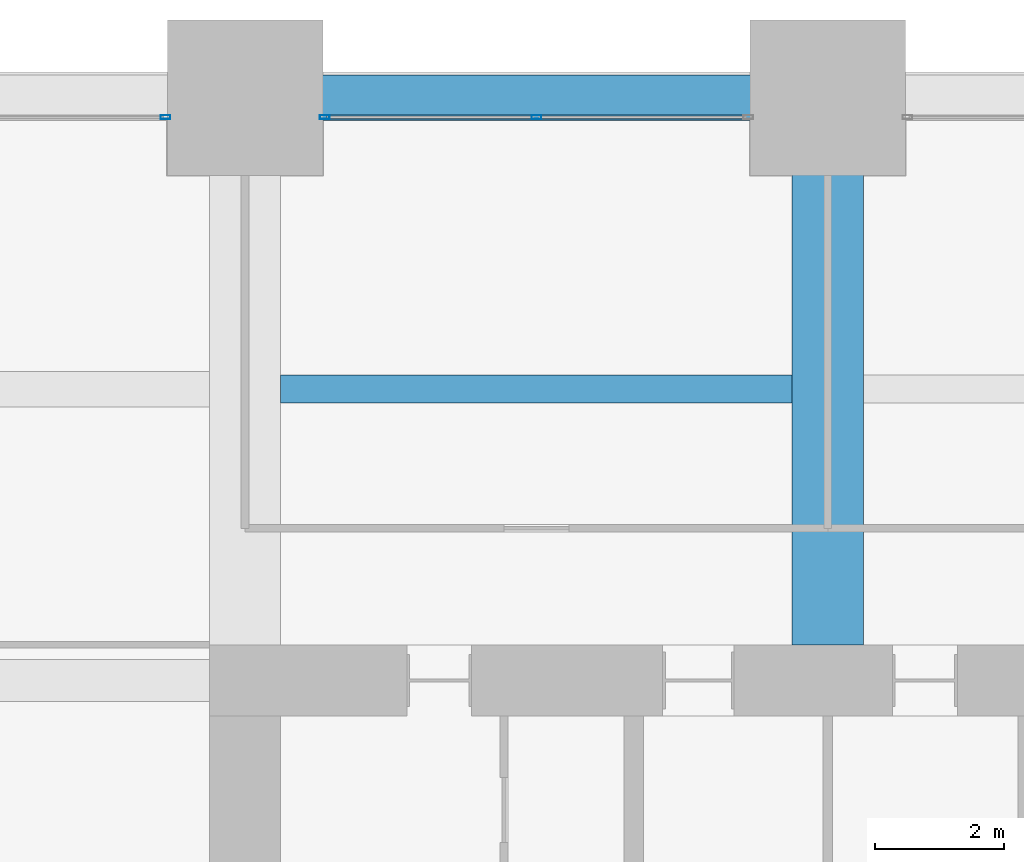
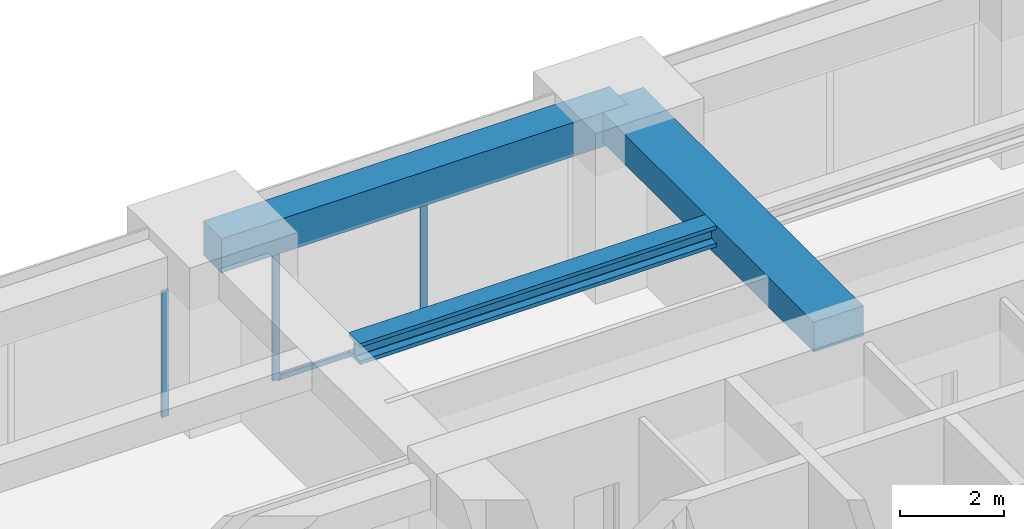
# One storey, part 28 of 39: 4 members, 3 beams, 2 elements without a shape of their own.
"""IFC4 building model written with IfcOpenShell, lengths in metres."""

from ifc_helpers import new_model, si_unit, direction, frame, origin, origin_2d, place, context, subcontext, project, spatial, rectangle, hollow_rectangle, i_section, extrude, material, material_profile, profile_set, type_object, element, aggregate, save


model = new_model("IFC4")

# Units and contexts
model_context = context("Model", 3, precision=1e-05, world=origin(), true_north=direction((0.0, 1.0)))
body_context = subcontext(model_context, "Body", "Model", "MODEL_VIEW")
ifc_project = project(units=[si_unit("LENGTHUNIT", "METRE"), si_unit("AREAUNIT", "SQUARE_METRE"), si_unit("VOLUMEUNIT", "CUBIC_METRE"), si_unit("PLANEANGLEUNIT", "RADIAN"), si_unit("MASSUNIT", "GRAM", prefix="KILO")], contexts=[model_context])

# Site, building, storey
site_placement = place(None, origin())
site = spatial("IfcSite", under=ifc_project, at=site_placement, CompositionType="ELEMENT")
building_placement = place(site_placement, origin())
building = spatial("IfcBuilding", under=site, at=building_placement, Name="Zorevar Civic Tower", CompositionType="ELEMENT")
storey_placement = place(building_placement, frame((0.0, 0.0, 117.0)))
storey = spatial("IfcBuildingStorey", under=building, at=storey_placement, Name="L28", CompositionType="ELEMENT", Elevation=117.0)

# Beam
ifc_material_1 = material(Name="Concrete C50/60", Category="concrete")
ifc_material_profile_1 = material_profile(ifc_material_1, rectangle(XDim=1.10009765625, YDim=0.699951171875, at=origin_2d()), Name="RC 1100x700")
ifc_profile_set_1 = profile_set([ifc_material_profile_1], Name="Concrete C50/60")
beam_type_1 = type_object("IfcBeamType", Name="Beam RC 1100x700", PredefinedType="BEAM", material=ifc_profile_set_1)
beam_1_placement = place(storey_placement, frame((27.0, 36.550048828125, 3.39990234375), z_axis=(0.0, 1.0, 0.0), x_axis=(-1.0, 0.0, 0.0)))
element("IfcBeam", 1, at=beam_1_placement, inside=storey, type_object=beam_type_1, Name="Girder L29", PredefinedType="BEAM", context=body_context, shape_type="SweptSolid", body=[
    extrude(rectangle(XDim=1.10009765625, YDim=0.699951171875, at=origin_2d()), origin(), (0.0, 0.0, 1.0), 8.449951171875),
])

# Curtain wall, member
ifc_material_2 = material(Name="Dark grey solar-control glass in black aluminium frame", Category="aluminium")
curtain_wall_type = type_object("IfcCurtainWallType", Name="Curtain wall CW3 mid zone", PredefinedType="NOTDEFINED", material=ifc_material_2)
curtain_wall_1_placement = place(storey_placement, origin())
curtain_wall_1 = element("IfcCurtainWall", 2, at=curtain_wall_1_placement, inside=storey, type_object=curtain_wall_type, Name="CW3 L28", PredefinedType="NOTDEFINED")
ifc_material_3 = material(Name="Aluminium, black anodised", Category="aluminium")
ifc_material_profile_2 = material_profile(ifc_material_3, hollow_rectangle(XDim=0.06005859375, YDim=0.14990234375, WallThickness=0.00390625, at=origin_2d()), Name="AL 150x60x4")
ifc_profile_set_2 = profile_set([ifc_material_profile_2], Name="Aluminium, black anodised")
member_type_1 = type_object("IfcMemberType", Name="CW3 mullion AL 150x60x4", PredefinedType="MULLION", material=ifc_profile_set_2)
member_1_placement = place(storey_placement, frame((16.77001953125, 44.699951171875, 0.0), z_axis=(0.0, 0.0, 1.0), x_axis=(0.0, 1.0, 0.0)))
member_1 = element("IfcMember", 3, at=member_1_placement, type_object=member_type_1, Name="CW3 mullion 3", PredefinedType="MULLION", context=body_context, shape_type="SweptSolid", body=[
    extrude(hollow_rectangle(XDim=0.06005859375, YDim=0.14990234375, WallThickness=0.00390625, at=origin_2d()), origin(), (0.0, 0.0, 1.0), 2.949951171875),
])
aggregate(curtain_wall_1, [member_1])

# Curtain wall, members
curtain_wall_2_placement = place(storey_placement, origin())
curtain_wall_2 = element("IfcCurtainWall", 4, at=curtain_wall_2_placement, inside=storey, type_object=curtain_wall_type, Name="CW3 L28", PredefinedType="NOTDEFINED")
member_2_placement = place(storey_placement, frame((19.22998046875, 44.699951171875, 0.0), z_axis=(0.0, 0.0, 1.0), x_axis=(0.0, 1.0, 0.0)))
member_2 = element("IfcMember", 5, at=member_2_placement, type_object=member_type_1, Name="CW3 mullion 1", PredefinedType="MULLION", context=body_context, shape_type="SweptSolid", body=[
    extrude(hollow_rectangle(XDim=0.06005859375, YDim=0.14990234375, WallThickness=0.00390625, at=origin_2d()), origin(), (0.0, 0.0, 1.0), 2.949951171875),
])
member_3_placement = place(storey_placement, frame((22.5, 44.699951171875, 0.06005859375), z_axis=(0.0, 0.0, 1.0), x_axis=(0.0, 1.0, 0.0)))
member_3 = element("IfcMember", 6, at=member_3_placement, type_object=member_type_1, Name="CW3 mullion 2", PredefinedType="MULLION", context=body_context, shape_type="SweptSolid", body=[
    extrude(hollow_rectangle(XDim=0.06005859375, YDim=0.14990234375, WallThickness=0.00390625, at=origin_2d()), origin(), (0.0, 0.0, 1.0), 2.889892578125),
])
ifc_material_4 = material(Name="Aluminium, black anodised", Category="aluminium")
ifc_material_profile_3 = material_profile(ifc_material_4, hollow_rectangle(XDim=0.06005859375, YDim=0.1201171875, WallThickness=0.0029296875, at=origin_2d()), Name="AL 120x60x3")
ifc_profile_set_3 = profile_set([ifc_material_profile_3], Name="Aluminium, black anodised")
member_type_2 = type_object("IfcMemberType", Name="CW3 transom AL 120x60x3", PredefinedType="USERDEFINED", material=ifc_profile_set_3)
member_4_placement = place(storey_placement, frame((19.260009765625, 44.699951171875, 0.030029296875), z_axis=(1.0, 0.0, 0.0), x_axis=(0.0, 1.0, 0.0)))
member_4 = element("IfcMember", 7, at=member_4_placement, type_object=member_type_2, Name="CW3 sill transom", ObjectType="TRANSOM", PredefinedType="USERDEFINED", context=body_context, shape_type="SweptSolid", body=[
    extrude(hollow_rectangle(XDim=0.06005859375, YDim=0.1201171875, WallThickness=0.0029296875, at=origin_2d()), origin(), (0.0, 0.0, 1.0), 6.47998046875),
])
aggregate(curtain_wall_2, [member_2, member_3, member_4])

# Beams
ifc_material_5 = material(Name="Steel S460M (HISTAR 460)", Category="steel")
ifc_material_profile_4 = material_profile(ifc_material_5, i_section(OverallWidth=0.431884765625, OverallDepth=0.498046875, WebThickness=0.0556640625, FlangeThickness=0.0888671875, FilletRadius=0.014892578125, at=origin_2d()), Name="HD 400x744")
ifc_profile_set_4 = profile_set([ifc_material_profile_4], Name="Steel S460M (HISTAR 460)")
beam_type_2 = type_object("IfcBeamType", Name="Core bay beam HD 400x744", PredefinedType="BEAM", material=ifc_profile_set_4)
beam_2_placement = place(storey_placement, frame((18.550048828125, 40.5, 3.5009765625), z_axis=(1.0, 0.0, 0.0), x_axis=(0.0, 1.0, 0.0)))
element("IfcBeam", 8, at=beam_2_placement, inside=storey, type_object=beam_type_2, Name="Secondary beam L29", PredefinedType="BEAM", context=body_context, shape_type="SweptSolid", body=[
    extrude(i_section(OverallWidth=0.431884765625, OverallDepth=0.498046875, WebThickness=0.0556640625, FlangeThickness=0.0888671875, FilletRadius=0.014892578125, at=origin_2d()), origin(), (0.0, 0.0, 1.0), 7.89990234375),
])
ifc_material_6 = material(Name="Concrete C50/60", Category="concrete")
ifc_material_profile_5 = material_profile(ifc_material_6, rectangle(XDim=0.699951171875, YDim=0.800048828125, at=origin_2d()), Name="RC 700x800")
ifc_profile_set_5 = profile_set([ifc_material_profile_5], Name="Concrete C50/60")
beam_type_3 = type_object("IfcBeamType", Name="Edge beam RC 700x800", PredefinedType="SPANDREL", material=ifc_profile_set_5)
beam_3_placement = place(storey_placement, frame((18.0, 45.0, 3.35009765625), z_axis=(1.0, 0.0, 0.0), x_axis=(0.0, 1.0, 0.0)))
element("IfcBeam", 9, at=beam_3_placement, inside=storey, type_object=beam_type_3, Name="Edge beam L29", PredefinedType="SPANDREL", context=body_context, shape_type="SweptSolid", body=[
    extrude(rectangle(XDim=0.699951171875, YDim=0.800048828125, at=origin_2d()), origin(), (0.0, 0.0, 1.0), 9.0),
])

save(model, "model.ifc")
